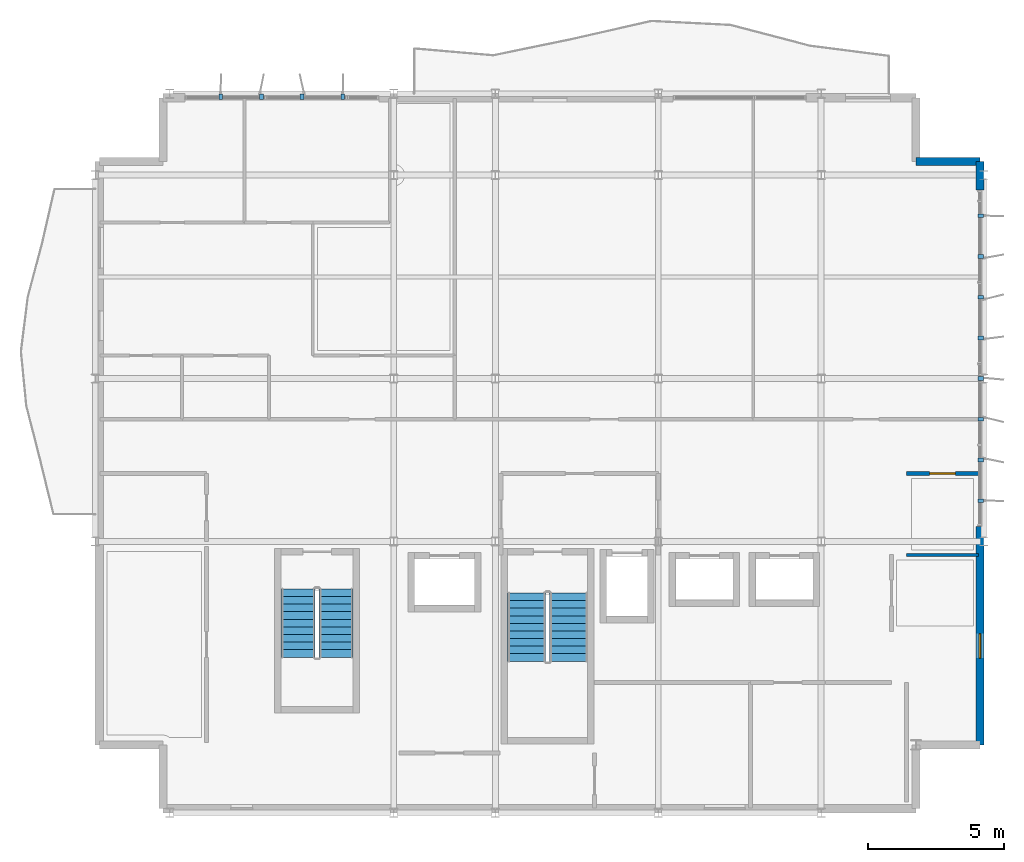
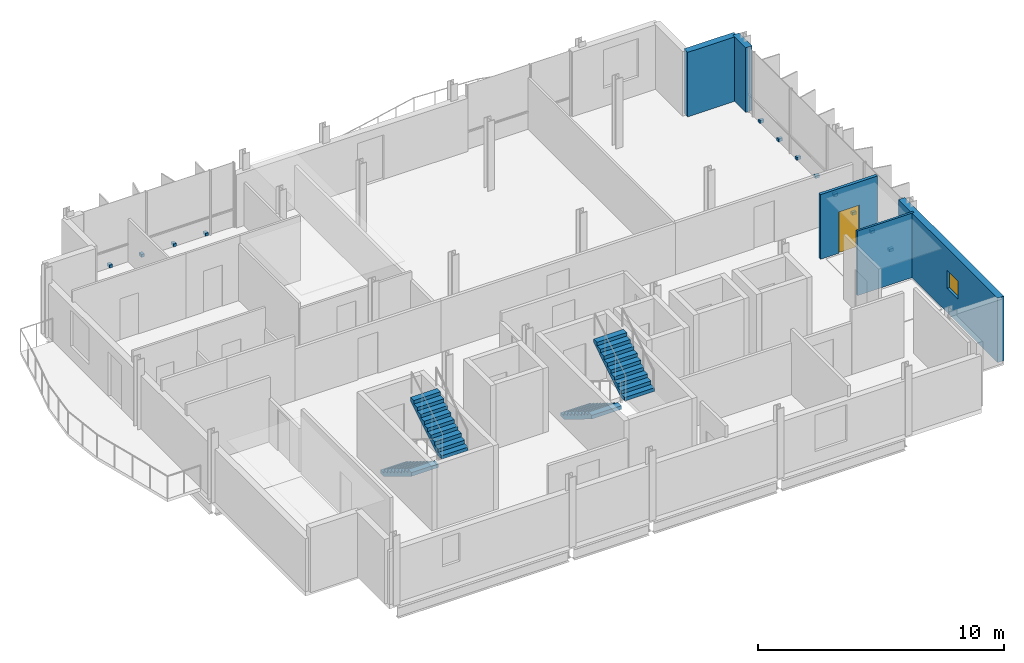
# One storey, part 10 of 12: 12 discrete accessories, 5 walls, 4 stair flights, 1 door, 1 window, 2 openings, 2 elements without a shape of their own.
"""IFC4 building model written with IfcOpenShell, lengths in metres."""

from ifc_helpers import new_model, si_unit, direction, frame, frame_2d, origin, origin_2d, place, context, subcontext, project, spatial, polyline, rectangle, outline, extrude, material, layer, layer_set, type_object, element, fill, aggregate, save


model = new_model("IFC4")

# Units and contexts
model_context = context("Model", 3, precision=1e-05, world=origin(), true_north=direction((0.0, 1.0)))
body_context = subcontext(model_context, "Body", "Model", "MODEL_VIEW")
ifc_project = project(units=[si_unit("LENGTHUNIT", "METRE"), si_unit("AREAUNIT", "SQUARE_METRE"), si_unit("VOLUMEUNIT", "CUBIC_METRE"), si_unit("PLANEANGLEUNIT", "RADIAN"), si_unit("MASSUNIT", "GRAM", prefix="KILO")], contexts=[model_context])

# Site, building, storey
site_placement = place(None, origin())
site = spatial("IfcSite", under=ifc_project, at=site_placement, CompositionType="ELEMENT")
building_placement = place(site_placement, origin())
building = spatial("IfcBuilding", under=site, at=building_placement, Name="Brevholm Reach", CompositionType="ELEMENT")
storey_placement = place(building_placement, frame((0.0, 0.0, 236.60009765625)))
storey = spatial("IfcBuildingStorey", under=building, at=storey_placement, Name="L72", CompositionType="ELEMENT", Elevation=236.60009765625)

# Wall
ifc_material_1 = material(Name="Concrete C40/50", Category="concrete")
ifc_layer_1 = layer(ifc_material_1, 0.300048828125)
ifc_layer_set_1 = layer_set([ifc_layer_1], Name="Concrete C40/50")
wall_type_1 = type_object("IfcWallType", Name="WAL-EXT-300", PredefinedType="STANDARD", material=ifc_layer_set_1)
wall_1_placement = place(storey_placement, frame((59.85009765625, 24.0, 0.0), z_axis=(0.0, 0.0, 1.0), x_axis=(-1.0, 0.0, 0.0)))
element("IfcWall", 1, at=wall_1_placement, inside=storey, type_object=wall_type_1, Name="L72 Facade Wall WAL-L72-CNE1", PredefinedType="STANDARD", context=body_context, shape_type="SweptSolid", body=[
    extrude(rectangle(XDim=2.35009765625, YDim=0.300048828125, at=frame_2d((1.175048828125, 0.0))), origin(), (0.0, 0.0, 1.0), 3.199951171875),
])

# Wall, opening, window
wall_2_placement = place(storey_placement, frame((59.85009765625, 2.5, 0.0), z_axis=(0.0, 0.0, 1.0), x_axis=(0.0, 1.0, 0.0)))
wall_2 = element("IfcWall", 2, at=wall_2_placement, inside=storey, type_object=wall_type_1, Name="L72 Facade Wall WAL-L72-E-S", PredefinedType="STANDARD", context=body_context, shape_type="SweptSolid", body=[
    extrude(rectangle(XDim=8.050048828125, YDim=0.300048828125, at=frame_2d((4.02490234375, 0.0))), origin(), (0.0, 0.0, 1.0), 3.199951171875),
])
opening_1_placement = place(wall_2_placement, frame((3.199951171875, 0.0, 1.199951171875)))
opening_1 = element("IfcOpeningElement", 3, at=opening_1_placement, cuts=wall_2, Name="Opening WN-09", PredefinedType="OPENING", context=body_context, shape_type="SweptSolid", body=[
    extrude(rectangle(XDim=0.89990234375, YDim=0.89990234375, at=frame_2d((0.449951171875, 0.449951171875))), frame((0.0, 0.159912109375, 0.0), z_axis=(0.0, -1.0, 0.0), x_axis=(1.0, 0.0, 0.0)), (0.0, 0.0, 1.0), 0.320068359375),
])
ifc_material_2 = material(Name="Dark Anodised Aluminium and Solar-Control IGU Glass", Category="aluminium")
window_type = type_object("IfcWindowType", Name="WIN-POR-0900", PartitioningType="SINGLE_PANEL", PredefinedType="WINDOW", material=ifc_material_2)
window_placement = place(opening_1_placement, origin())
window = element("IfcWindow", 4, at=window_placement, inside=storey, type_object=window_type, Name="L72 Window WIN-L72-ES-1", OverallHeight=0.89990234375, OverallWidth=0.89990234375, PartitioningType="SINGLE_PANEL", PredefinedType="WINDOW", context=body_context, shape_type="SweptSolid", body=[
    extrude(rectangle(XDim=0.89990234375, YDim=0.89990234375, at=frame_2d((0.449951171875, 0.449951171875))), frame((0.0, 0.030029296875, 0.0), z_axis=(0.0, -1.0, 0.0), x_axis=(1.0, 0.0, 0.0)), (0.0, 0.0, 1.0), 0.06005859375),
])
fill(opening_1, window)

# Walls
wall_3_placement = place(storey_placement, frame((59.85009765625, 22.949951171875, 0.0), z_axis=(0.0, 0.0, 1.0), x_axis=(0.0, 1.0, 0.0)))
element("IfcWall", 5, at=wall_3_placement, inside=storey, type_object=wall_type_1, Name="L72 Facade Wall WAL-L72-E-TOP", PredefinedType="STANDARD", context=body_context, shape_type="SweptSolid", body=[
    extrude(rectangle(XDim=1.050048828125, YDim=0.300048828125, at=frame_2d((0.52490234375, 0.0))), origin(), (0.0, 0.0, 1.0), 3.199951171875),
])
ifc_material_3 = material(Name="Moisture-Resistant Acoustic Gypsum Stud Partition 100 mm", Category="gypsum")
ifc_layer_2 = layer(ifc_material_3, 0.10009765625)
ifc_layer_set_2 = layer_set([ifc_layer_2], Name="Moisture-Resistant Acoustic Gypsum Stud Partition 100 mm")
wall_type_2 = type_object("IfcWallType", Name="WAL-PRT-100", PredefinedType="PARTITIONING", material=ifc_layer_set_2)
wall_4_placement = place(storey_placement, frame((57.138671875, 9.5, 0.0), z_axis=(0.0, 0.0, 1.0), x_axis=(1.0, 0.0, 0.0)))
element("IfcWall", 6, at=wall_4_placement, inside=storey, type_object=wall_type_2, Name="L72 Internal Partition 013", PredefinedType="PARTITIONING", context=body_context, shape_type="SweptSolid", body=[
    extrude(rectangle(XDim=2.661376953125, YDim=0.10009765625, at=frame_2d((1.33056640625, 0.0))), origin(), (0.0, 0.0, 1.0), 3.199951171875),
])

# Wall, opening, door
ifc_material_4 = material(Name="Twin-Stud Acoustic Fire-Rated Gypsum Partition 140 mm", Category="gypsum")
ifc_layer_3 = layer(ifc_material_4, 0.139892578125)
ifc_layer_set_3 = layer_set([ifc_layer_3], Name="Twin-Stud Acoustic Fire-Rated Gypsum Partition 140 mm")
wall_type_3 = type_object("IfcWallType", Name="WAL-PRT-140", PredefinedType="PARTITIONING", material=ifc_layer_set_3)
wall_5_placement = place(storey_placement, frame((57.138671875, 12.5, 0.0), z_axis=(0.0, 0.0, 1.0), x_axis=(1.0, 0.0, 0.0)))
wall_5 = element("IfcWall", 7, at=wall_5_placement, inside=storey, type_object=wall_type_3, Name="L72 Internal Partition 014", PredefinedType="PARTITIONING", context=body_context, shape_type="SweptSolid", body=[
    extrude(rectangle(XDim=2.672607421875, YDim=0.139892578125, at=frame_2d((1.33642578125, 0.0))), origin(), (0.0, 0.0, 1.0), 3.199951171875),
])
opening_2_placement = place(wall_5_placement, frame((0.861328125, 0.0, 0.0)))
opening_2 = element("IfcOpeningElement", 8, at=opening_2_placement, cuts=wall_5, Name="Opening ID-30", PredefinedType="OPENING", context=body_context, shape_type="SweptSolid", body=[
    extrude(rectangle(XDim=0.949951171875, YDim=2.050048828125, at=frame_2d((0.47509765625, 1.02490234375))), frame((0.0, 0.079833984375, 0.0), z_axis=(0.0, -1.0, 0.0), x_axis=(1.0, 0.0, 0.0)), (0.0, 0.0, 1.0), 0.159912109375),
])
ifc_material_5 = material(Name="European Oak Veneered Solid-Core Fire Entrance Door", Category="timber")
door_type = type_object("IfcDoorType", Name="DOR-FLT-FD30S", OperationType="NOTDEFINED", PredefinedType="DOOR", material=ifc_material_5)
door_placement = place(opening_2_placement, origin())
door = element("IfcDoor", 9, at=door_placement, inside=storey, type_object=door_type, Name="L72 Internal Door 010", OperationType="SINGLE_SWING_RIGHT", OverallHeight=2.050048828125, OverallWidth=0.949951171875, PredefinedType="DOOR", context=body_context, shape_type="SweptSolid", body=[
    extrude(rectangle(XDim=0.949951171875, YDim=2.050048828125, at=frame_2d((0.47509765625, 1.02490234375))), frame((0.0, 0.02490234375, 0.0), z_axis=(0.0, -1.0, 0.0), x_axis=(1.0, 0.0, 0.0)), (0.0, 0.0, 1.0), 0.050048828125),
])
fill(opening_2, door)

# Stair, stair flights
ifc_material_6 = material(Name="Precast Concrete C40/50", Category="concrete")
stair_type_1 = type_object("IfcStairType", Name="STR-ESC-1250", PredefinedType="DOUBLE_RETURN_STAIR", material=ifc_material_6)
stair_1_placement = place(storey_placement, origin())
stair_1 = element("IfcStair", 10, at=stair_1_placement, inside=storey, type_object=stair_type_1, Name="L72 ST-3", PredefinedType="DOUBLE_RETURN_STAIR")
ifc_material_7 = material(Name="Precast Concrete C40/50", Category="concrete")
ifc_layer_4 = layer(ifc_material_7, 0.1650390625)
ifc_layer_set_4 = layer_set([ifc_layer_4], Name="Precast Concrete C40/50")
stair_flight_type_1 = type_object("IfcStairFlightType", Name="STF-PRC-165", PredefinedType="STRAIGHT", material=ifc_layer_set_4)
stair_flight_1_placement = place(storey_placement, frame((34.72509765625, 8.25, 0.0), z_axis=(0.0, 0.0, 1.0), x_axis=(0.0, -1.0, 0.0)))
stair_flight_1 = element("IfcStairFlight", 11, at=stair_flight_1_placement, type_object=stair_flight_type_1, Name="ST-3 flight 1", NumberOfRisers=10, NumberOfTreads=9, PredefinedType="STRAIGHT", RiserHeight=0.1725, TreadLength=0.28, context=body_context, shape_type="SweptSolid", body=[
    extrude(outline(polyline([(0.0, 0.0), (0.0, 0.172607421875), (0.280029296875, 0.172607421875), (0.280029296875, 0.344970703125), (0.56005859375, 0.344970703125), (0.56005859375, 0.517578125), (0.840087890625, 0.517578125), (0.840087890625, 0.68994140625), (1.1201171875, 0.68994140625), (1.1201171875, 0.862548828125), (1.39990234375, 0.862548828125), (1.39990234375, 1.034912109375), (1.679931640625, 1.034912109375), (1.679931640625, 1.20751953125), (1.9599609375, 1.20751953125), (1.9599609375, 1.3798828125), (2.239990234375, 1.3798828125), (2.239990234375, 1.552490234375), (2.52001953125, 1.552490234375), (2.52001953125, 1.72509765625), (2.52001953125, 1.37646484375), (0.285888671875, 0.0), (0.0, 0.0)])), frame((0.0, 0.625, 0.0), z_axis=(0.0, -1.0, 0.0), x_axis=(1.0, 0.0, 0.0)), (0.0, 0.0, 1.0), 1.25),
])
stair_flight_2_placement = place(storey_placement, frame((36.125, 5.72998046875, 1.724853515625), z_axis=(0.0, 0.0, 1.0), x_axis=(0.0, 1.0, 0.0)))
stair_flight_2 = element("IfcStairFlight", 12, at=stair_flight_2_placement, type_object=stair_flight_type_1, Name="ST-3 flight 2", NumberOfRisers=10, NumberOfTreads=9, PredefinedType="STRAIGHT", RiserHeight=0.1725, TreadLength=0.28, context=body_context, shape_type="SweptSolid", body=[
    extrude(outline(polyline([(0.0, 0.0), (0.0, 0.172607421875), (0.280029296875, 0.172607421875), (0.280029296875, 0.344970703125), (0.56005859375, 0.344970703125), (0.56005859375, 0.517578125), (0.840087890625, 0.517578125), (0.840087890625, 0.68994140625), (1.1201171875, 0.68994140625), (1.1201171875, 0.862548828125), (1.39990234375, 0.862548828125), (1.39990234375, 1.034912109375), (1.679931640625, 1.034912109375), (1.679931640625, 1.20751953125), (1.9599609375, 1.20751953125), (1.9599609375, 1.3798828125), (2.239990234375, 1.3798828125), (2.239990234375, 1.552490234375), (2.52001953125, 1.552490234375), (2.52001953125, 1.72509765625), (2.52001953125, 1.37646484375), (0.285888671875, 0.0), (0.0, 0.0)])), frame((0.0, 0.625, 0.0), z_axis=(0.0, -1.0, 0.0), x_axis=(1.0, 0.0, 0.0)), (0.0, 0.0, 1.0), 1.25),
])
aggregate(stair_1, [stair_flight_1, stair_flight_2])

ifc_material_8 = material(Name="Precast Concrete C40/50", Category="concrete")
stair_type_2 = type_object("IfcStairType", Name="STR-ESC-1400", PredefinedType="DOUBLE_RETURN_STAIR", material=ifc_material_8)
stair_2_placement = place(storey_placement, origin())
stair_2 = element("IfcStair", 13, at=stair_2_placement, inside=storey, type_object=stair_type_2, Name="L72 ST-2", PredefinedType="DOUBLE_RETURN_STAIR")
ifc_material_9 = material(Name="Precast Concrete C40/50", Category="concrete")
ifc_layer_5 = layer(ifc_material_9, 0.18505859375)
ifc_layer_set_5 = layer_set([ifc_layer_5], Name="Precast Concrete C40/50")
stair_flight_type_2 = type_object("IfcStairFlightType", Name="STF-PRC-185", PredefinedType="STRAIGHT", material=ifc_layer_set_5)
stair_flight_3_placement = place(storey_placement, frame((43.14990234375, 8.10009765625, 0.0), z_axis=(0.0, 0.0, 1.0), x_axis=(0.0, -1.0, 0.0)))
stair_flight_3 = element("IfcStairFlight", 14, at=stair_flight_3_placement, type_object=stair_flight_type_2, Name="ST-2 flight 1", NumberOfRisers=10, NumberOfTreads=9, PredefinedType="STRAIGHT", RiserHeight=0.1725, TreadLength=0.28, context=body_context, shape_type="SweptSolid", body=[
    extrude(outline(polyline([(0.0, 0.0), (0.0, 0.172607421875), (0.280029296875, 0.172607421875), (0.280029296875, 0.344970703125), (0.56005859375, 0.344970703125), (0.56005859375, 0.517578125), (0.840087890625, 0.517578125), (0.840087890625, 0.68994140625), (1.1201171875, 0.68994140625), (1.1201171875, 0.862548828125), (1.39990234375, 0.862548828125), (1.39990234375, 1.034912109375), (1.679931640625, 1.034912109375), (1.679931640625, 1.20751953125), (1.9599609375, 1.20751953125), (1.9599609375, 1.3798828125), (2.239990234375, 1.3798828125), (2.239990234375, 1.552490234375), (2.52001953125, 1.552490234375), (2.52001953125, 1.72509765625), (2.52001953125, 1.37646484375), (0.285888671875, 0.0), (0.0, 0.0)])), frame((0.0, 0.699951171875, 0.0), z_axis=(0.0, -1.0, 0.0), x_axis=(1.0, 0.0, 0.0)), (0.0, 0.0, 1.0), 1.39990234375),
])
stair_flight_4_placement = place(storey_placement, frame((44.699951171875, 5.580078125, 1.724853515625), z_axis=(0.0, 0.0, 1.0), x_axis=(0.0, 1.0, 0.0)))
stair_flight_4 = element("IfcStairFlight", 15, at=stair_flight_4_placement, type_object=stair_flight_type_2, Name="ST-2 flight 2", NumberOfRisers=10, NumberOfTreads=9, PredefinedType="STRAIGHT", RiserHeight=0.1725, TreadLength=0.28, context=body_context, shape_type="SweptSolid", body=[
    extrude(outline(polyline([(0.0, 0.0), (0.0, 0.172607421875), (0.280029296875, 0.172607421875), (0.280029296875, 0.344970703125), (0.56005859375, 0.344970703125), (0.56005859375, 0.517578125), (0.840087890625, 0.517578125), (0.840087890625, 0.68994140625), (1.1201171875, 0.68994140625), (1.1201171875, 0.862548828125), (1.39990234375, 0.862548828125), (1.39990234375, 1.034912109375), (1.679931640625, 1.034912109375), (1.679931640625, 1.20751953125), (1.9599609375, 1.20751953125), (1.9599609375, 1.3798828125), (2.239990234375, 1.3798828125), (2.239990234375, 1.552490234375), (2.52001953125, 1.552490234375), (2.52001953125, 1.72509765625), (2.52001953125, 1.37646484375), (0.285888671875, 0.0), (0.0, 0.0)])), frame((0.0, 0.699951171875, 0.0), z_axis=(0.0, -1.0, 0.0), x_axis=(1.0, 0.0, 0.0)), (0.0, 0.0, 1.0), 1.39990234375),
])
aggregate(stair_2, [stair_flight_3, stair_flight_4])

# Discrete accessories
ifc_material_10 = material(Name="Duplex Stainless Steel EN 1.4462", Category="steel")
discrete_accessory_type = type_object("IfcDiscreteAccessoryType", Name="ACC-BRK-01", PredefinedType="BRACKET", material=ifc_material_10)
for number, where, z_axis, x_axis, name in (
    (16, (31.875, 26.3798828125, 0.02978515625), (0.0, 0.0, 1.0), (0.0, 1.0, 0.0), "L72 Solar Screen Support Bracket 1"),
    (17, (33.375, 26.3798828125, 0.02978515625), (0.0, 0.0, 1.0), (0.0, 1.0, 0.0), "L72 Solar Screen Support Bracket 2"),
    (18, (34.875, 26.3798828125, 0.02978515625), (0.0, 0.0, 1.0), (0.0, 1.0, 0.0), "L72 Solar Screen Support Bracket 3"),
    (19, (36.375, 26.3798828125, 0.02978515625), (0.0, 0.0, 1.0), (0.0, 1.0, 0.0), "L72 Solar Screen Support Bracket 4"),
    (20, (59.8798828125, 11.5, 0.02978515625), (0.0, 0.0, 1.0), (1.0, 0.0, 0.0), "L72 Solar Screen Support Bracket 1"),
    (21, (59.8798828125, 13.0, 0.02978515625), (0.0, 0.0, 1.0), (1.0, 0.0, 0.0), "L72 Solar Screen Support Bracket 2"),
    (22, (59.8798828125, 14.5, 0.02978515625), (0.0, 0.0, 1.0), (1.0, 0.0, 0.0), "L72 Solar Screen Support Bracket 3"),
    (23, (59.8798828125, 16.0, 0.02978515625), (0.0, 0.0, 1.0), (1.0, 0.0, 0.0), "L72 Solar Screen Support Bracket 4"),
    (24, (59.8798828125, 17.5, 0.02978515625), (0.0, 0.0, 1.0), (1.0, 0.0, 0.0), "L72 Solar Screen Support Bracket 5"),
    (25, (59.8798828125, 19.0, 0.02978515625), (0.0, 0.0, 1.0), (1.0, 0.0, 0.0), "L72 Solar Screen Support Bracket 6"),
    (26, (59.8798828125, 20.5, 0.02978515625), (0.0, 0.0, 1.0), (1.0, 0.0, 0.0), "L72 Solar Screen Support Bracket 7"),
    (27, (59.8798828125, 22.0, 0.02978515625), (0.0, 0.0, 1.0), (1.0, 0.0, 0.0), "L72 Solar Screen Support Bracket 8"),
):
    element("IfcDiscreteAccessory", number, at=place(storey_placement, frame(where, z_axis=z_axis, x_axis=x_axis)), inside=storey, type_object=discrete_accessory_type, Name=name, PredefinedType="BRACKET", context=body_context, shape_type="SweptSolid", body=[
        extrude(rectangle(XDim=0.199951171875, YDim=0.139892578125, at=origin_2d()), origin(), (0.0, 0.0, 1.0), 0.139892578125),
    ])

save(model, "model.ifc")
